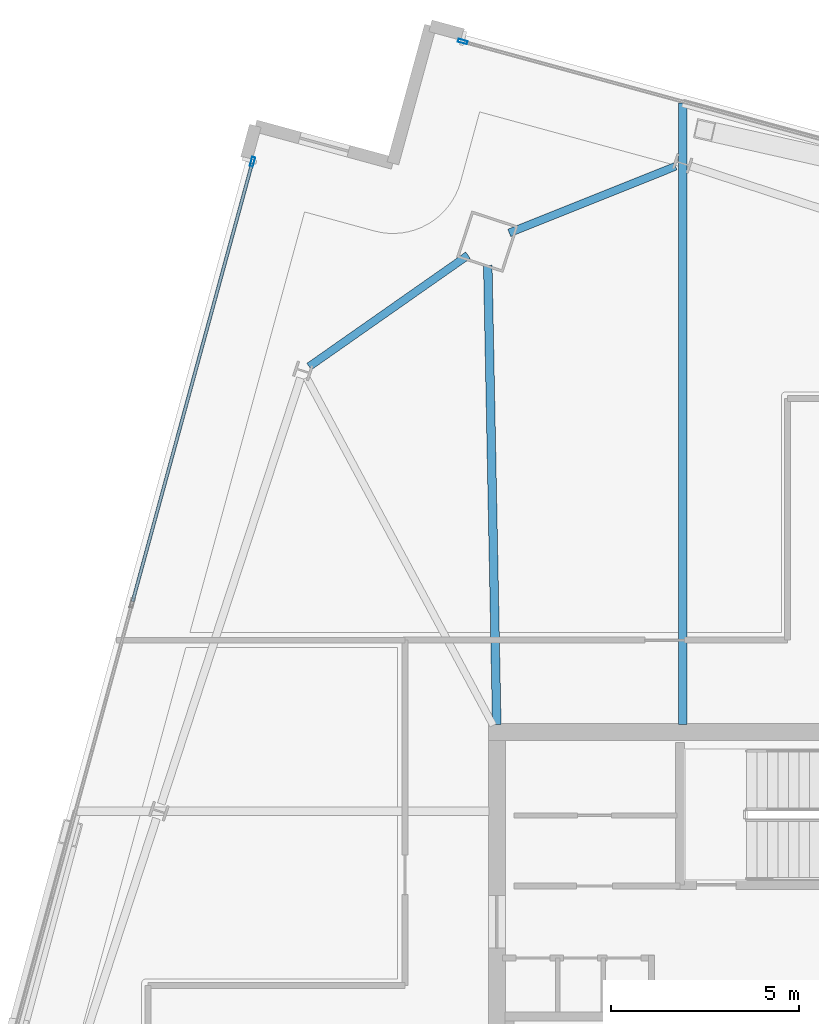
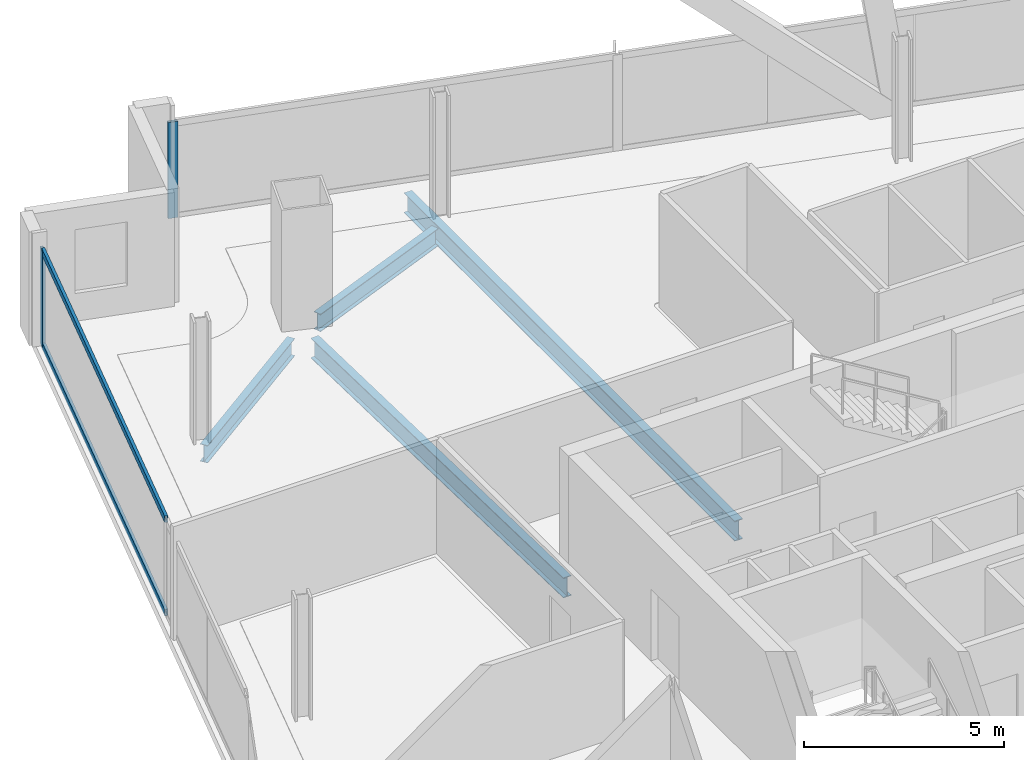
# One storey, part 13 of 26: 4 beams, 4 members, 2 elements without a shape of their own.
"""IFC4 building model written with IfcOpenShell, lengths in metres."""

from ifc_helpers import new_model, si_unit, direction, frame, origin, origin_2d, place, context, subcontext, project, spatial, hollow_rectangle, i_section, extrude, material, material_profile, profile_set, type_object, element, aggregate, save


model = new_model("IFC4")

# Units and contexts
model_context = context("Model", 3, precision=1e-05, world=origin(), true_north=direction((0.0, 1.0)))
body_context = subcontext(model_context, "Body", "Model", "MODEL_VIEW")
ifc_project = project(units=[si_unit("LENGTHUNIT", "METRE"), si_unit("AREAUNIT", "SQUARE_METRE"), si_unit("VOLUMEUNIT", "CUBIC_METRE"), si_unit("PLANEANGLEUNIT", "RADIAN"), si_unit("MASSUNIT", "GRAM", prefix="KILO")], contexts=[model_context])

# Site, building, storey
site_placement = place(None, origin())
site = spatial("IfcSite", under=ifc_project, at=site_placement, CompositionType="ELEMENT")
building_placement = place(site_placement, origin())
building = spatial("IfcBuilding", under=site, at=building_placement, Name="Haldenkirk Collegiate Tower", CompositionType="ELEMENT")
storey_placement = place(building_placement, frame((0.0, 0.0, 278.699951171875)))
storey = spatial("IfcBuildingStorey", under=building, at=storey_placement, Name="L70", CompositionType="ELEMENT", Elevation=278.699951171875)

# Beams
ifc_material_1 = material(Name="Steel ASTM A992 Grade 50", Category="steel")
ifc_material_profile_1 = material_profile(ifc_material_1, i_section(OverallWidth=0.22998046875, OverallDepth=0.616943359375, WebThickness=0.01318359375, FlangeThickness=0.022216796875, at=origin_2d()), Name="W24X94")
ifc_profile_set_1 = profile_set([ifc_material_profile_1], Name="Steel ASTM A992 Grade 50")
beam_type_1 = type_object("IfcBeamType", Name="BM-GIRDER-W24X94", PredefinedType="BEAM", material=ifc_profile_set_1)
beam_1_placement = place(storey_placement, frame((26.75732421875, 46.443603515625, -0.578369140625), z_axis=(0.019505953171, -0.999809740796, 0.0), x_axis=(0.999809740796, 0.019505953171, 0.0)))
element("IfcBeam", 1, at=beam_1_placement, inside=storey, type_object=beam_type_1, Name="L70 primary floor girder 03", PredefinedType="BEAM", context=body_context, shape_type="SweptSolid", body=[
    extrude(i_section(OverallWidth=0.22998046875, OverallDepth=0.616943359375, WebThickness=0.01318359375, FlangeThickness=0.022216796875, at=origin_2d()), origin(), (0.0, 0.0, 1.0), 12.240966796875),
])
beam_2_placement = place(storey_placement, frame((31.949462890625, 50.767578125, -0.578369140625), z_axis=(0.0, -1.0, 0.0), x_axis=(1.0, 0.0, 0.0)))
element("IfcBeam", 2, at=beam_2_placement, inside=storey, type_object=beam_type_1, Name="L70 primary floor girder 10", PredefinedType="BEAM", context=body_context, shape_type="SweptSolid", body=[
    extrude(i_section(OverallWidth=0.22998046875, OverallDepth=0.616943359375, WebThickness=0.01318359375, FlangeThickness=0.022216796875, at=origin_2d()), origin(), (0.0, 0.0, 1.0), 16.5625),
])
ifc_material_profile_2 = material_profile(ifc_material_1, i_section(OverallWidth=0.2099609375, OverallDepth=0.537109375, WebThickness=0.010986328125, FlangeThickness=0.017333984375, at=origin_2d()), Name="W21X68")
ifc_profile_set_2 = profile_set([ifc_material_profile_2], Name="Steel ASTM A992 Grade 50")
beam_type_2 = type_object("IfcBeamType", Name="BM-SPANDREL-W21X68", PredefinedType="SPANDREL", material=ifc_profile_set_2)
beam_3_placement = place(storey_placement, frame((31.761474609375, 49.0830078125, -0.538330078125), z_axis=(-0.928296709602, -0.371840313768, 0.0), x_axis=(0.371840313768, -0.928296709602, 0.0)))
element("IfcBeam", 3, at=beam_3_placement, inside=storey, type_object=beam_type_2, Name="L70 perimeter spandrel beam 08", PredefinedType="SPANDREL", context=body_context, shape_type="SweptSolid", body=[
    extrude(i_section(OverallWidth=0.2099609375, OverallDepth=0.537109375, WebThickness=0.010986328125, FlangeThickness=0.017333984375, at=origin_2d()), origin(), (0.0, 0.0, 1.0), 4.77392578125),
])
beam_4_placement = place(storey_placement, frame((26.22900390625, 46.7119140625, -0.538330078125), z_axis=(-0.818927819185, -0.573896529842, 0.0), x_axis=(0.573896529842, -0.818927819185, 0.0)))
element("IfcBeam", 4, at=beam_4_placement, inside=storey, type_object=beam_type_2, Name="L70 perimeter spandrel beam 09", PredefinedType="SPANDREL", context=body_context, shape_type="SweptSolid", body=[
    extrude(i_section(OverallWidth=0.2099609375, OverallDepth=0.537109375, WebThickness=0.010986328125, FlangeThickness=0.017333984375, at=origin_2d()), origin(), (0.0, 0.0, 1.0), 5.169189453125),
])

# Curtain wall, member
ifc_material_2 = material(Name="Anodised architectural bronze aluminium", Category="aluminium")
curtain_wall_type = type_object("IfcCurtainWallType", Name="CW-SYS1B-CONVEX-HI", PredefinedType="USERDEFINED", material=ifc_material_2)
curtain_wall_1_placement = place(storey_placement, origin())
curtain_wall_1 = element("IfcCurtainWall", 5, at=curtain_wall_1_placement, inside=storey, type_object=curtain_wall_type, Name="L70 Upper tower high-wind convex bronze unitised curtain wall", ObjectType="UNITISED CURTAIN WALL", PredefinedType="USERDEFINED")
ifc_material_profile_3 = material_profile(ifc_material_2, hollow_rectangle(XDim=0.0849609375, YDim=0.25, WallThickness=0.0048828125, at=origin_2d()), Name="CW-MUL-1B")
ifc_profile_set_3 = profile_set([ifc_material_profile_3], Name="Anodised architectural bronze aluminium")
member_type_1 = type_object("IfcMemberType", Name="CW-MUL-1B", PredefinedType="MULLION", material=ifc_profile_set_3)
member_1_placement = place(storey_placement, frame((26.08935546875, 52.40673828125, 0.0), z_axis=(0.0, 0.0, 1.0), x_axis=(0.263031020173, 0.964787376797, 0.0)))
member_1 = element("IfcMember", 6, at=member_1_placement, type_object=member_type_1, Name="CW-1B mullion 1", PredefinedType="MULLION", context=body_context, shape_type="SweptSolid", body=[
    extrude(hollow_rectangle(XDim=0.0849609375, YDim=0.25, WallThickness=0.0048828125, at=origin_2d()), origin(), (0.0, 0.0, 1.0), 2.93798828125),
])
aggregate(curtain_wall_1, [member_1])

# Curtain wall, members
curtain_wall_2_placement = place(storey_placement, origin())
curtain_wall_2 = element("IfcCurtainWall", 7, at=curtain_wall_2_placement, inside=storey, type_object=curtain_wall_type, Name="L70 Upper tower high-wind convex bronze unitised curtain wall", ObjectType="UNITISED CURTAIN WALL", PredefinedType="USERDEFINED")
member_2_placement = place(storey_placement, frame((20.4873046875, 49.205078125, 0.0), z_axis=(0.0, 0.0, 1.0), x_axis=(-0.964786957297, 0.263032558878, 0.0)))
member_2 = element("IfcMember", 8, at=member_2_placement, type_object=member_type_1, Name="CW-1B mullion 4", PredefinedType="MULLION", context=body_context, shape_type="SweptSolid", body=[
    extrude(hollow_rectangle(XDim=0.0849609375, YDim=0.25, WallThickness=0.0048828125, at=origin_2d()), origin(), (0.0, 0.0, 1.0), 2.93798828125),
])
ifc_material_profile_4 = material_profile(ifc_material_2, hollow_rectangle(XDim=0.0849609375, YDim=0.199951171875, WallThickness=0.0048828125, at=origin_2d()), Name="CW-TRN-1B")
ifc_profile_set_4 = profile_set([ifc_material_profile_4], Name="Anodised architectural bronze aluminium")
member_type_2 = type_object("IfcMemberType", Name="CW-TRN-1B", PredefinedType="USERDEFINED", material=ifc_profile_set_4)
member_3_placement = place(storey_placement, frame((17.2919921875, 37.484375, 0.04248046875), z_axis=(0.263037202574, 0.964785691261, 0.0), x_axis=(-0.964785691261, 0.263037202574, 0.0)))
member_3 = element("IfcMember", 9, at=member_3_placement, type_object=member_type_2, Name="CW-1B transom 3.1", ObjectType="TRANSOM", PredefinedType="USERDEFINED", context=body_context, shape_type="SweptSolid", body=[
    extrude(hollow_rectangle(XDim=0.0849609375, YDim=0.199951171875, WallThickness=0.0048828125, at=origin_2d()), origin(), (0.0, 0.0, 1.0), 12.10595703125),
])
member_4_placement = place(storey_placement, frame((17.2919921875, 37.484375, 2.8955078125), z_axis=(0.263037202574, 0.964785691261, 0.0), x_axis=(-0.964785691261, 0.263037202574, 0.0)))
member_4 = element("IfcMember", 10, at=member_4_placement, type_object=member_type_2, Name="CW-1B transom 3.2", ObjectType="TRANSOM", PredefinedType="USERDEFINED", context=body_context, shape_type="SweptSolid", body=[
    extrude(hollow_rectangle(XDim=0.0849609375, YDim=0.199951171875, WallThickness=0.0048828125, at=origin_2d()), origin(), (0.0, 0.0, 1.0), 12.10595703125),
])
aggregate(curtain_wall_2, [member_2, member_3, member_4])

save(model, "model.ifc")
